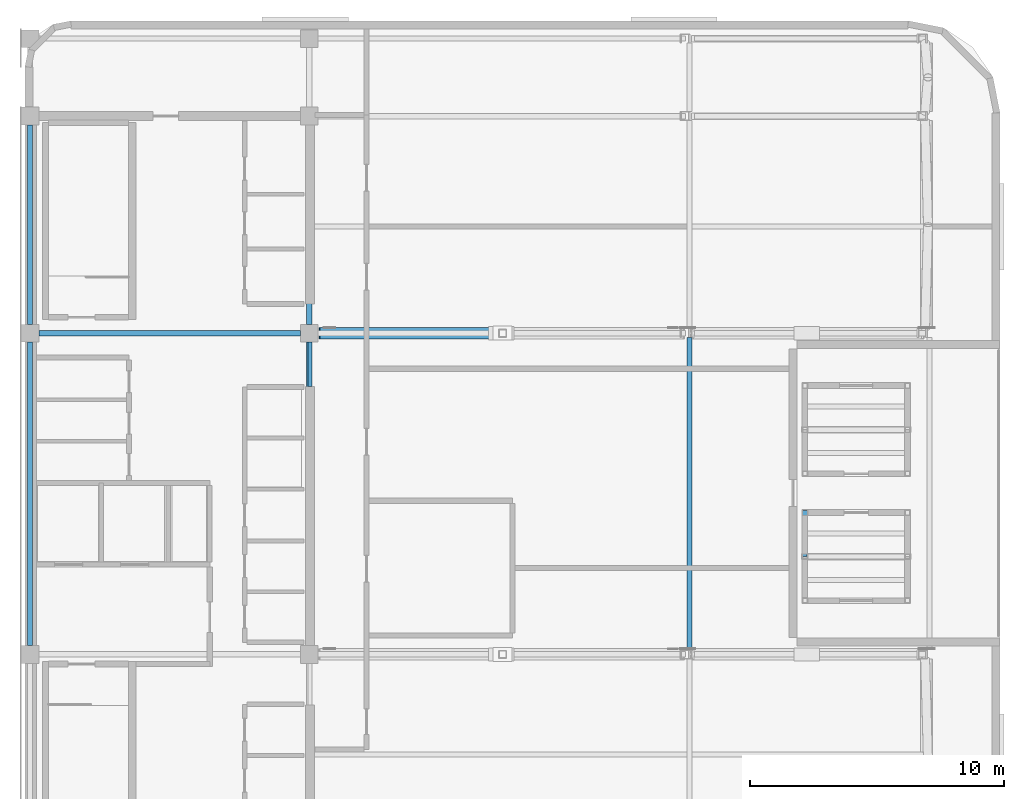
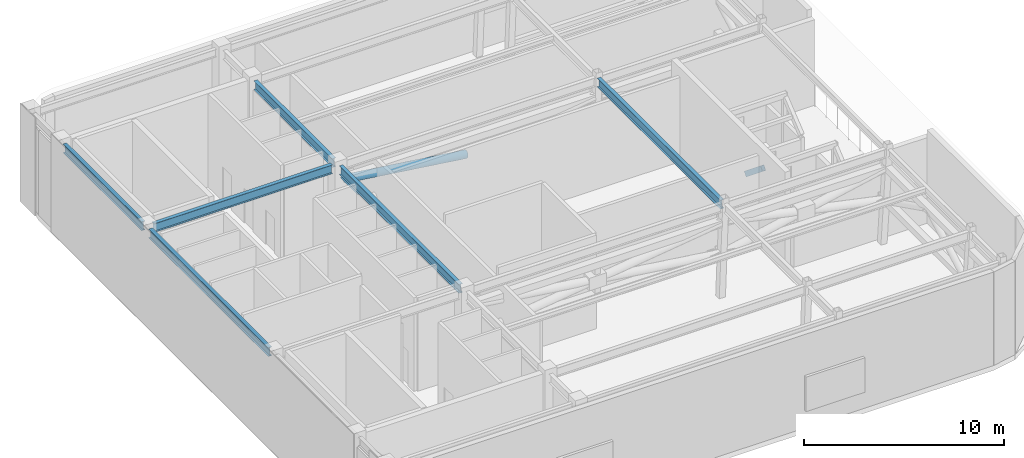
# One storey, part 3 of 12: 7 beams, 2 members.
"""IFC4 building model written with IfcOpenShell, lengths in metres."""

import ifcopenshell
import ifcopenshell.guid

model = None  # the IFC model being written
_history = None  # IfcOwnerHistory: only IFC2X3 demands one
_inside = {}  # id of a spatial element -> (the spatial element, [elements in it])
_under = {}  # id of a project, library or spatial element -> (it, [spatial elements below it])
_declared = {}  # id of a project -> (the project, [libraries it declares])
_typed = {}  # id of a type object -> (the type object, [elements of that type])
_made_of = {}  # id of a material, layer set ... -> (it, [elements and type objects made of it])


def new_model(schema):
    """Start an empty IFC model of exactly this schema.

    Asked for "IFC4X3", IfcOpenShell would pick the latest addendum, in which some entities
    have other attributes; the version numbers below select the first issue.
    IFC2X3 requires an IfcOwnerHistory on every rooted entity: one is made here for all.
    """
    global model, _history
    if schema == "IFC4X3":
        model = ifcopenshell.file(schema_version=(4, 3, 0, 0))
    else:
        model = ifcopenshell.file(schema=schema)
    _inside.clear()
    _under.clear()
    _declared.clear()
    _typed.clear()
    _made_of.clear()
    _history = None
    if model.schema == "IFC2X3":
        org = make("IfcOrganization", Name="unknown")
        user = make(
            "IfcPersonAndOrganization",
            ThePerson=make("IfcPerson", FamilyName="unknown"),
            TheOrganization=org,
        )
        app = make(
            "IfcApplication",
            ApplicationDeveloper=org,
            Version="unknown",
            ApplicationFullName="unknown",
            ApplicationIdentifier="unknown",
        )
        _history = make(
            "IfcOwnerHistory",
            OwningUser=user,
            OwningApplication=app,
            ChangeAction="ADDED",
            CreationDate=0,
        )
    return model


def make(cls, **values):
    """One entity of the class cls with the attributes given. An attribute that is None is left unset."""
    return model.create_entity(
        cls, **{name: value for name, value in values.items() if value is not None}
    )


def rooted(cls, **values):
    """An entity with a GlobalId (a new one), such as an element, a storey or a relation."""
    return make(cls, GlobalId=ifcopenshell.guid.new(), OwnerHistory=_history, **values)


def si_unit(unit_type, name, prefix=None):
    """IfcSIUnit, for example si_unit("LENGTHUNIT", "METRE", prefix="MILLI")."""
    return make("IfcSIUnit", UnitType=unit_type, Prefix=prefix, Name=name)


def assignment(units):
    """IfcUnitAssignment: the units of a project."""
    return None if units is None else make("IfcUnitAssignment", Units=units)


def point(xyz):
    """IfcCartesianPoint."""
    return None if xyz is None else make("IfcCartesianPoint", Coordinates=xyz)


def direction(xyz):
    """IfcDirection."""
    return None if xyz is None else make("IfcDirection", DirectionRatios=xyz)


def frame(location, z_axis=None, x_axis=None):
    """IfcAxis2Placement3D, a coordinate frame: its origin and axes. An axis left out is left unset."""
    return make(
        "IfcAxis2Placement3D",
        Location=point(location),
        Axis=direction(z_axis),
        RefDirection=direction(x_axis),
    )


def frame_2d(location, x_axis=None):
    """IfcAxis2Placement2D, a coordinate frame in the plane: its origin and x axis."""
    return make(
        "IfcAxis2Placement2D", Location=point(location), RefDirection=direction(x_axis)
    )


def origin():
    """The frame at (0, 0, 0) with its axes left unset."""
    return frame((0.0, 0.0, 0.0))


def origin_2d():
    """The frame at (0, 0) in the plane with its x axis left unset."""
    return frame_2d((0.0, 0.0))


def place(relative_to, where):
    """IfcLocalPlacement: puts the frame where relative to a parent placement (None: the world)."""
    return make(
        "IfcLocalPlacement", PlacementRelTo=relative_to, RelativePlacement=where
    )


def context(
    kind, dimensions, precision=None, world=None, true_north=None, identifier=None
):
    """IfcGeometricRepresentationContext, for example the 3D "Model" context."""
    return make(
        "IfcGeometricRepresentationContext",
        ContextIdentifier=identifier,
        ContextType=kind,
        CoordinateSpaceDimension=dimensions,
        Precision=precision,
        WorldCoordinateSystem=world,
        TrueNorth=true_north,
    )


def subcontext(parent, identifier, kind, view, scale=None):
    """IfcGeometricRepresentationSubContext, for example "Body" below "Model"."""
    return make(
        "IfcGeometricRepresentationSubContext",
        ContextIdentifier=identifier,
        ContextType=kind,
        ParentContext=parent,
        TargetScale=scale,
        TargetView=view,
    )


def project(units=None, contexts=None):
    """IfcProject with its units and contexts."""
    return rooted(
        "IfcProject",
        Name="project",
        RepresentationContexts=contexts,
        UnitsInContext=assignment(units),
    )


def spatial(cls, under=None, at=None, **own):
    """A site, building, storey or space (cls), placed at a placement, below another one or the project."""
    s = rooted(cls, ObjectPlacement=at, **own)
    if under is not None:
        _under.setdefault(under.id(), (under, []))[1].append(s)
    return s


def profile(cls, at=None, kind="AREA", **sizes):
    """A parametric profile (cls). Its sizes go by their IFC names, for example OverallWidth=200.0."""
    return make(cls, ProfileType=kind, Position=at, **sizes)


def hollow_rectangle(**sizes):
    """IfcRectangleHollowProfileDef."""
    return profile("IfcRectangleHollowProfileDef", **sizes)


def hollow_circle(**sizes):
    """IfcCircleHollowProfileDef."""
    return profile("IfcCircleHollowProfileDef", **sizes)


def i_section(**sizes):
    """IfcIShapeProfileDef."""
    return profile("IfcIShapeProfileDef", **sizes)


def extrude(swept, where, along, depth):
    """IfcExtrudedAreaSolid: the profile swept, set in the frame where, extruded along a direction by depth."""
    return make(
        "IfcExtrudedAreaSolid",
        SweptArea=swept,
        Position=where,
        ExtrudedDirection=direction(along),
        Depth=depth,
    )


def shape(context_of_items, identifier, shape_type, items):
    """IfcShapeRepresentation: the items that make up one representation, for example the "Body"."""
    return make(
        "IfcShapeRepresentation",
        ContextOfItems=context_of_items,
        RepresentationIdentifier=identifier,
        RepresentationType=shape_type,
        Items=items,
    )


def material(Name=None, Category=None):
    """IfcMaterial."""
    return make("IfcMaterial", Name=Name, Category=Category)


def material_profile(
    of_material, cross_section, Name=None, Category=None, Priority=None
):
    """IfcMaterialProfile: a cross section and its material."""
    return make(
        "IfcMaterialProfile",
        Name=Name,
        Material=of_material,
        Profile=cross_section,
        Priority=Priority,
        Category=Category,
    )


def profile_set(profiles, Name=None, composite=None):
    """IfcMaterialProfileSet."""
    return make(
        "IfcMaterialProfileSet",
        Name=Name,
        MaterialProfiles=profiles,
        CompositeProfile=composite,
    )


def made_of(thing, what):
    """Note that an element or type object is made of a material, layer set ...; save() writes the relation."""
    if what is not None:
        _made_of.setdefault(what.id(), (what, []))[1].append(thing)
    return thing


def type_object(cls, material=None, **own):
    """A type object (cls), such as IfcWallType, which elements share."""
    return made_of(rooted(cls, **own), material)


def element(
    cls,
    number,
    at=None,
    inside=None,
    cuts=None,
    type_object=None,
    material=None,
    context=None,
    identifier="Body",
    shape_type=None,
    held_by="IfcProductDefinitionShape",
    body=None,
    shapes=None,
    **own,
):
    """One element of the class cls, such as IfcWall. Its Tag is "e" and its number.

    at: its placement. inside: the storey or other place that contains it. cuts: it is an
    opening in that element (IfcRelVoidsElement). A single representation is given by context,
    identifier, shape_type and body (its items); several are given by shapes. held_by: the class
    of the entity that holds the representations. save() writes the other relations.
    """
    e = rooted(cls, Tag="e%d" % number, ObjectPlacement=at, **own)
    if body is not None:
        shapes = [shape(context, identifier, shape_type, body)]
    if shapes is not None:
        e.Representation = make(held_by, Representations=shapes)
    if inside is not None:
        _inside.setdefault(inside.id(), (inside, []))[1].append(e)
    if cuts is not None:
        rooted(
            "IfcRelVoidsElement", RelatingBuildingElement=cuts, RelatedOpeningElement=e
        )
    if type_object is not None:
        _typed.setdefault(type_object.id(), (type_object, []))[1].append(e)
    return made_of(e, material)


def aggregate(whole, parts):
    """IfcRelAggregates: a whole, such as a stair, and the parts it consists of."""
    return rooted("IfcRelAggregates", RelatingObject=whole, RelatedObjects=parts)


def save(model, path):
    """Write the relations noted so far, then the file.

    IfcRelAggregates (storeys below a building ...), IfcRelContainedInSpatialStructure (elements
    in a storey), IfcRelDefinesByType, IfcRelAssociatesMaterial and IfcRelDeclares: one each for
    every whole, place, type object, material and project.
    """
    for whole, parts in _under.values():
        aggregate(whole, parts)
    for where, things in _inside.values():
        rooted(
            "IfcRelContainedInSpatialStructure",
            RelatedElements=things,
            RelatingStructure=where,
        )
    for kind, things in _typed.values():
        rooted("IfcRelDefinesByType", RelatedObjects=things, RelatingType=kind)
    for what, things in _made_of.values():
        rooted("IfcRelAssociatesMaterial", RelatedObjects=things, RelatingMaterial=what)
    for by, libraries in _declared.values():
        rooted("IfcRelDeclares", RelatingContext=by, RelatedDefinitions=libraries)
    model.write(path)


model = new_model("IFC4")

# Units and contexts
model_context = context("Model", 3, precision=1e-05, world=origin(), true_north=direction((0.0, 1.0)))
body_context = subcontext(model_context, "Body", "Model", "MODEL_VIEW")
ifc_project = project(units=[si_unit("LENGTHUNIT", "METRE"), si_unit("AREAUNIT", "SQUARE_METRE"), si_unit("VOLUMEUNIT", "CUBIC_METRE"), si_unit("PLANEANGLEUNIT", "RADIAN"), si_unit("MASSUNIT", "GRAM", prefix="KILO")], contexts=[model_context])

# Site, building, storey
site_placement = place(None, origin())
site = spatial("IfcSite", under=ifc_project, at=site_placement, CompositionType="ELEMENT")
building_placement = place(site_placement, origin())
building = spatial("IfcBuilding", under=site, at=building_placement, Name="Ochreholt Gables", CompositionType="ELEMENT")
storey_placement = place(building_placement, frame((0.0, 0.0, 287.0)))
storey = spatial("IfcBuildingStorey", under=building, at=storey_placement, Name="L75", CompositionType="ELEMENT", Elevation=287.0)

# Beams
ifc_material = material(Name="Steel CSA G40.21 350W", Category="steel")
ifc_material_profile_1 = material_profile(ifc_material, i_section(OverallWidth=0.2109375, OverallDepth=0.5390625, WebThickness=0.01171875, FlangeThickness=0.018798828125, at=origin_2d()), Name="W530X109")
ifc_profile_set_1 = profile_set([ifc_material_profile_1], Name="Steel CSA G40.21 350W")
beam_type_1 = type_object("IfcBeamType", Name="BM-G-W530A", PredefinedType="BEAM", material=ifc_profile_set_1)
beam_1_placement = place(storey_placement, frame((24.549560546875, 30.199951171875, 5.430419921875), z_axis=(1.0, 0.0, 0.0), x_axis=(0.0, 1.0, 0.0)))
element("IfcBeam", 1, at=beam_1_placement, inside=storey, type_object=beam_type_1, Name="L75 Beam TBG-L75-C1C2-Y4", PredefinedType="BEAM", context=body_context, shape_type="SweptSolid", body=[
    extrude(i_section(OverallWidth=0.2109375, OverallDepth=0.5390625, WebThickness=0.01171875, FlangeThickness=0.018798828125, at=origin_2d()), origin(), (0.0, 0.0, 1.0), 10.30078125),
])
beam_2_placement = place(storey_placement, frame((24.199951171875, 17.899658203125, 5.430419921875), z_axis=(0.0, 1.0, 0.0), x_axis=(-1.0, 0.0, 0.0)))
element("IfcBeam", 2, at=beam_2_placement, inside=storey, type_object=beam_type_1, Name="L75 Beam TBN-L75-C1-Y3Y4", PredefinedType="BEAM", context=body_context, shape_type="SweptSolid", body=[
    extrude(i_section(OverallWidth=0.2109375, OverallDepth=0.5390625, WebThickness=0.01171875, FlangeThickness=0.018798828125, at=origin_2d()), origin(), (0.0, 0.0, 1.0), 11.95068359375),
])
beam_3_placement = place(storey_placement, frame((24.199951171875, 30.549560546875, 5.430419921875), z_axis=(0.0, 1.0, 0.0), x_axis=(-1.0, 0.0, 0.0)))
element("IfcBeam", 3, at=beam_3_placement, inside=storey, type_object=beam_type_1, Name="L75 Beam TBN-L75-C1-Y4Y5", PredefinedType="BEAM", context=body_context, shape_type="SweptSolid", body=[
    extrude(i_section(OverallWidth=0.2109375, OverallDepth=0.5390625, WebThickness=0.01171875, FlangeThickness=0.018798828125, at=origin_2d()), origin(), (0.0, 0.0, 1.0), 7.850830078125),
])
beam_4_placement = place(storey_placement, frame((35.199951171875, 17.899658203125, 5.430419921875), z_axis=(0.0, 1.0, 0.0), x_axis=(-1.0, 0.0, 0.0)))
element("IfcBeam", 4, at=beam_4_placement, inside=storey, type_object=beam_type_1, Name="L75 Beam TBN-L75-C2-Y3Y4", PredefinedType="BEAM", context=body_context, shape_type="SweptSolid", body=[
    extrude(i_section(OverallWidth=0.2109375, OverallDepth=0.5390625, WebThickness=0.01171875, FlangeThickness=0.018798828125, at=origin_2d()), origin(), (0.0, 0.0, 1.0), 11.95068359375),
])
beam_5_placement = place(storey_placement, frame((35.199951171875, 30.549560546875, 5.430419921875), z_axis=(0.0, 1.0, 0.0), x_axis=(-1.0, 0.0, 0.0)))
element("IfcBeam", 5, at=beam_5_placement, inside=storey, type_object=beam_type_1, Name="L75 Beam TBN-L75-C2-Y4Y5", PredefinedType="BEAM", context=body_context, shape_type="SweptSolid", body=[
    extrude(i_section(OverallWidth=0.2109375, OverallDepth=0.5390625, WebThickness=0.01171875, FlangeThickness=0.018798828125, at=origin_2d()), origin(), (0.0, 0.0, 1.0), 7.850830078125),
])
beam_6_placement = place(storey_placement, frame((50.171875, 17.7275390625, 5.430419921875), z_axis=(0.0, 1.0, 0.0), x_axis=(-1.0, 0.0, 0.0)))
element("IfcBeam", 6, at=beam_6_placement, inside=storey, type_object=beam_type_1, Name="L75 Beam TBN-L75-EM-Y3Y4", PredefinedType="BEAM", context=body_context, shape_type="SweptSolid", body=[
    extrude(i_section(OverallWidth=0.2109375, OverallDepth=0.5390625, WebThickness=0.01171875, FlangeThickness=0.018798828125, at=origin_2d()), origin(), (0.0, 0.0, 1.0), 12.294921875),
])
ifc_material_profile_2 = material_profile(ifc_material, i_section(OverallWidth=0.1650390625, OverallDepth=0.200927734375, WebThickness=0.006103515625, FlangeThickness=0.01025390625, at=origin_2d()), Name="W200X36")
ifc_profile_set_2 = profile_set([ifc_material_profile_2], Name="Steel CSA G40.21 350W")
beam_type_2 = type_object("IfcBeamType", Name="BM-LIN-W200", PredefinedType="LINTEL", material=ifc_profile_set_2)
beam_7_placement = place(storey_placement, frame((35.22509765625, 28.10009765625, 5.060546875), z_axis=(0.0, 1.0, 0.0), x_axis=(-1.0, 0.0, 0.0)))
element("IfcBeam", 7, at=beam_7_placement, inside=storey, type_object=beam_type_2, Name="L75 Core Coupling Lintel CPN", PredefinedType="LINTEL", context=body_context, shape_type="SweptSolid", body=[
    extrude(i_section(OverallWidth=0.1650390625, OverallDepth=0.200927734375, WebThickness=0.006103515625, FlangeThickness=0.01025390625, at=origin_2d()), origin(), (0.0, 0.0, 1.0), 1.75),
])

# Members
ifc_material_profile_3 = material_profile(ifc_material, hollow_rectangle(XDim=0.202880859375, YDim=0.304931640625, WallThickness=0.0126953125, at=origin_2d()), Name="HSS305X203X13")
ifc_profile_set_3 = profile_set([ifc_material_profile_3], Name="Steel CSA G40.21 350W")
member_type_1 = type_object("IfcMemberType", Name="MEM-GB-RF1", PredefinedType="RAFTER", material=ifc_profile_set_3)
member_1_placement = place(storey_placement, frame((54.719970703125, 23.1298828125, 2.43359375), z_axis=(0.0, -0.777320844022, 0.629104367692), x_axis=(1.0, 0.0, 0.0)))
element("IfcMember", 8, at=member_1_placement, inside=storey, type_object=member_type_1, Name="L75 Gable North Rafter 1 GB-75C1", PredefinedType="RAFTER", context=body_context, shape_type="SweptSolid", body=[
    extrude(hollow_rectangle(XDim=0.202880859375, YDim=0.304931640625, WallThickness=0.0126953125, at=origin_2d()), origin(), (0.0, 0.0, 1.0), 2.09521484375),
])
ifc_material_profile_4 = material_profile(ifc_material, hollow_circle(Radius=0.228515625, WallThickness=0.01611328125, at=origin_2d()), Name="CHS457X16")
ifc_profile_set_4 = profile_set([ifc_material_profile_4], Name="Steel CSA G40.21 350W")
member_type_2 = type_object("IfcMemberType", Name="MEM-OU-BR1", PredefinedType="BRACE", material=ifc_profile_set_4)
member_2_placement = place(storey_placement, frame((42.58544921875, 30.199951171875, 3.581787109375), z_axis=(-0.991101304181, 0.0, 0.133109747395), x_axis=(0.0, -1.0, 0.0)))
element("IfcMember", 9, at=member_2_placement, inside=storey, type_object=member_type_2, Name="L75 Outrigger Truss N Split Diagonal 2B", PredefinedType="BRACE", context=body_context, shape_type="SweptSolid", body=[
    extrude(hollow_circle(Radius=0.228515625, WallThickness=0.01611328125, at=origin_2d()), origin(), (0.0, 0.0, 1.0), 7.048583984375),
])

save(model, "model.ifc")
